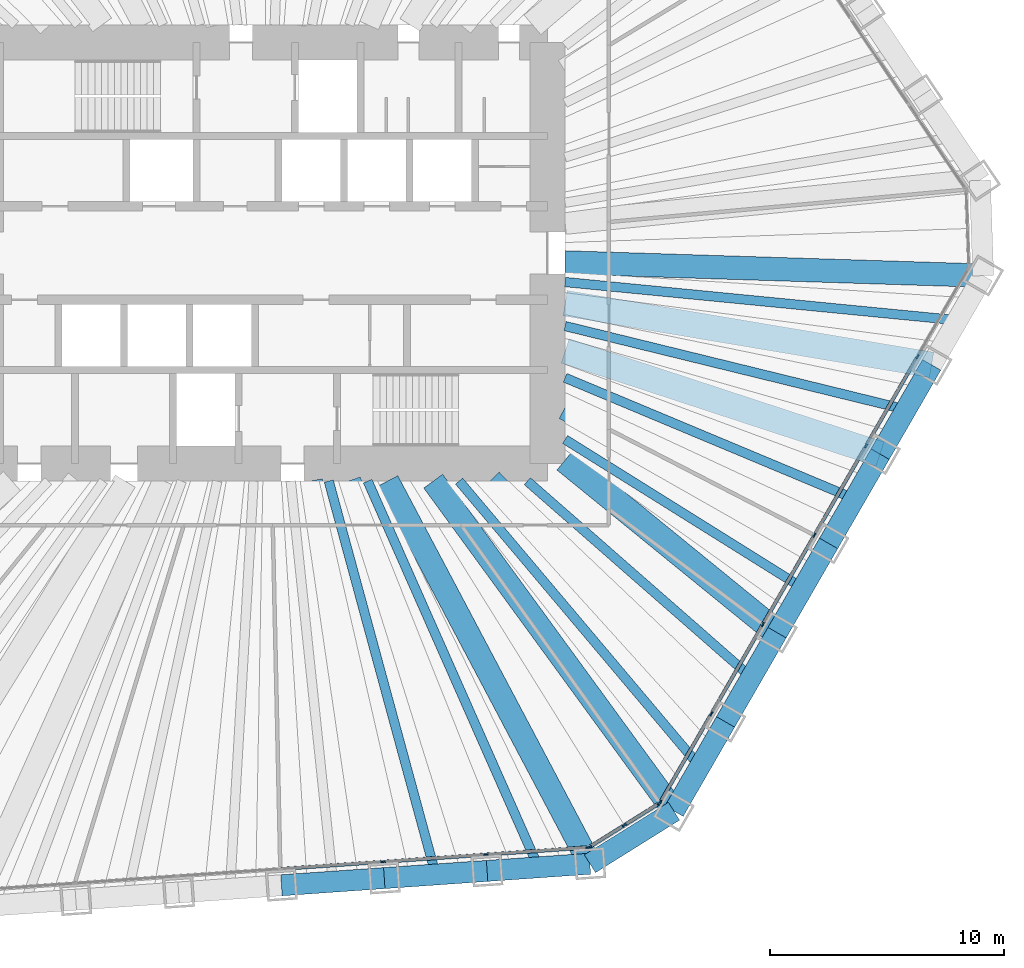
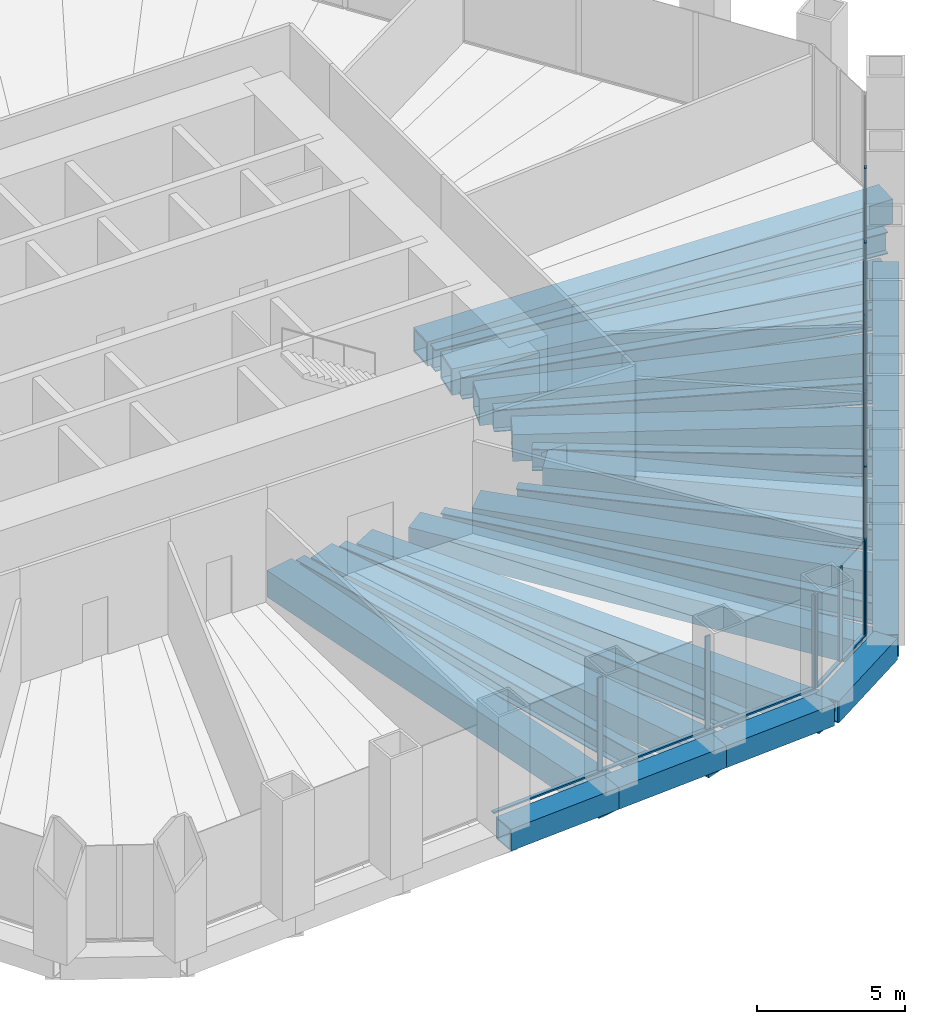
# One storey, part 4 of 13: 27 beams, 22 members, 3 elements without a shape of their own.
"""IFC4 building model written with IfcOpenShell, lengths in metres."""

from ifc_helpers import new_model, si_unit, direction, frame, origin, origin_2d, place, context, subcontext, project, spatial, rectangle, hollow_rectangle, i_section, extrude, material, material_profile, profile_set, type_object, element, aggregate, save


model = new_model("IFC4")

# Units and contexts
model_context = context("Model", 3, precision=1e-05, world=origin(), true_north=direction((0.0, 1.0)))
body_context = subcontext(model_context, "Body", "Model", "MODEL_VIEW")
ifc_project = project(units=[si_unit("LENGTHUNIT", "METRE"), si_unit("AREAUNIT", "SQUARE_METRE"), si_unit("VOLUMEUNIT", "CUBIC_METRE"), si_unit("PLANEANGLEUNIT", "RADIAN"), si_unit("MASSUNIT", "GRAM", prefix="KILO")], contexts=[model_context])

# Site, building, storey
site_placement = place(None, origin())
site = spatial("IfcSite", under=ifc_project, at=site_placement, CompositionType="ELEMENT")
building_placement = place(site_placement, origin())
building = spatial("IfcBuilding", under=site, at=building_placement, Name="Qingtian Harvest Tower", CompositionType="ELEMENT")
storey_placement = place(building_placement, frame((0.0, 0.0, 92.0)))
storey = spatial("IfcBuildingStorey", under=building, at=storey_placement, Name="L18", CompositionType="ELEMENT", Elevation=92.0)

# Beams
ifc_material_1 = material(Name="Steel SN490B", Category="steel")
ifc_material_profile_1 = material_profile(ifc_material_1, i_section(OverallWidth=0.39990234375, OverallDepth=0.89990234375, WebThickness=0.01904296875, FlangeThickness=0.035888671875, at=origin_2d()), Name="H900x400x19x36")
ifc_profile_set_1 = profile_set([ifc_material_profile_1], Name="Steel SN490B")
beam_type_1 = type_object("IfcBeamType", Name="Floor joist J4 H900x400x19x36", PredefinedType="JOIST", material=ifc_profile_set_1)
beam_1_placement = place(storey_placement, frame((29.517333984375, -2.87451171875, -0.64990234375), z_axis=(-0.995291970786, 0.096922097011, 0.0), x_axis=(-0.096922097011, -0.995291970786, 0.0)))
element("IfcBeam", 1, at=beam_1_placement, inside=storey, type_object=beam_type_1, Name="Floor joist J4 SE0", PredefinedType="JOIST", context=body_context, shape_type="SweptSolid", body=[
    extrude(i_section(OverallWidth=0.39990234375, OverallDepth=0.89990234375, WebThickness=0.01904296875, FlangeThickness=0.035888671875, at=origin_2d()), origin(), (0.0, 0.0, 1.0), 16.8466796875),
])
beam_2_placement = place(storey_placement, frame((27.31494140625, -6.68896484375, -0.64990234375), z_axis=(-0.971301533706, 0.237851488583, 0.0), x_axis=(-0.237851488583, -0.971301533706, 0.0)))
element("IfcBeam", 2, at=beam_2_placement, inside=storey, type_object=beam_type_1, Name="Floor joist J4 SE1", PredefinedType="JOIST", context=body_context, shape_type="SweptSolid", body=[
    extrude(i_section(OverallWidth=0.39990234375, OverallDepth=0.89990234375, WebThickness=0.01904296875, FlangeThickness=0.035888671875, at=origin_2d()), origin(), (0.0, 0.0, 1.0), 14.995361328125),
])
beam_3_placement = place(storey_placement, frame((25.112548828125, -10.503662109375, -0.64990234375), z_axis=(-0.922550516103, 0.385876334125, 0.0), x_axis=(-0.385876334125, -0.922550516103, 0.0)))
element("IfcBeam", 3, at=beam_3_placement, inside=storey, type_object=beam_type_1, Name="Floor joist J4 SE2", PredefinedType="JOIST", context=body_context, shape_type="SweptSolid", body=[
    extrude(i_section(OverallWidth=0.39990234375, OverallDepth=0.89990234375, WebThickness=0.01904296875, FlangeThickness=0.035888671875, at=origin_2d()), origin(), (0.0, 0.0, 1.0), 13.400390625),
])
beam_4_placement = place(storey_placement, frame((22.910400390625, -14.318115234375, -0.64990234375), z_axis=(-0.848013185461, 0.52997512893, 0.0), x_axis=(-0.52997512893, -0.848013185461, 0.0)))
element("IfcBeam", 4, at=beam_4_placement, inside=storey, type_object=beam_type_1, Name="Floor joist J4 SE3", PredefinedType="JOIST", context=body_context, shape_type="SweptSolid", body=[
    extrude(i_section(OverallWidth=0.39990234375, OverallDepth=0.89990234375, WebThickness=0.01904296875, FlangeThickness=0.035888671875, at=origin_2d()), origin(), (0.0, 0.0, 1.0), 11.9814453125),
])
beam_5_placement = place(storey_placement, frame((20.7080078125, -18.132568359375, -0.64990234375), z_axis=(-0.75234369212, 0.658770801514, 0.0), x_axis=(-0.658770801514, -0.75234369212, 0.0)))
element("IfcBeam", 5, at=beam_5_placement, inside=storey, type_object=beam_type_1, Name="Floor joist J4 SE4", PredefinedType="JOIST", context=body_context, shape_type="SweptSolid", body=[
    extrude(i_section(OverallWidth=0.39990234375, OverallDepth=0.89990234375, WebThickness=0.01904296875, FlangeThickness=0.035888671875, at=origin_2d()), origin(), (0.0, 0.0, 1.0), 12.724609375),
])
beam_6_placement = place(storey_placement, frame((18.505859375, -21.947021484375, -0.64990234375), z_axis=(-0.644630398038, 0.76449437534, 0.0), x_axis=(-0.76449437534, -0.644630398038, 0.0)))
element("IfcBeam", 6, at=beam_6_placement, inside=storey, type_object=beam_type_1, Name="Floor joist J4 SE5", PredefinedType="JOIST", context=body_context, shape_type="SweptSolid", body=[
    extrude(i_section(OverallWidth=0.39990234375, OverallDepth=0.89990234375, WebThickness=0.01904296875, FlangeThickness=0.035888671875, at=origin_2d()), origin(), (0.0, 0.0, 1.0), 15.954345703125),
])
beam_7_placement = place(storey_placement, frame((11.613525390625, -26.25390625, -0.64990234375), z_axis=(-0.404539958959, 0.914520323233, 0.0), x_axis=(-0.914520323233, -0.404539958959, 0.0)))
element("IfcBeam", 7, at=beam_7_placement, inside=storey, type_object=beam_type_1, Name="Floor joist J4 S0", PredefinedType="JOIST", context=body_context, shape_type="SweptSolid", body=[
    extrude(i_section(OverallWidth=0.39990234375, OverallDepth=0.89990234375, WebThickness=0.01904296875, FlangeThickness=0.035888671875, at=origin_2d()), origin(), (0.0, 0.0, 1.0), 18.046630859375),
])
beam_8_placement = place(storey_placement, frame((7.2197265625, -26.56103515625, -0.64990234375), z_axis=(-0.262302659247, 0.964985655309, 0.0), x_axis=(-0.964985655309, -0.262302659247, 0.0)))
element("IfcBeam", 8, at=beam_8_placement, inside=storey, type_object=beam_type_1, Name="Floor joist J4 S1", PredefinedType="JOIST", context=body_context, shape_type="SweptSolid", body=[
    extrude(i_section(OverallWidth=0.39990234375, OverallDepth=0.89990234375, WebThickness=0.01904296875, FlangeThickness=0.035888671875, at=origin_2d()), origin(), (0.0, 0.0, 1.0), 17.421142578125),
])

# Curtain wall, members
ifc_material_2 = material(Name="Bronze-anodised aluminium curtain wall", Category="aluminium")
curtain_wall_type = type_object("IfcCurtainWallType", Name="Curtain wall CW2 farm reception", PredefinedType="USERDEFINED", material=ifc_material_2)
curtain_wall_1_placement = place(storey_placement, origin())
curtain_wall_1 = element("IfcCurtainWall", 9, at=curtain_wall_1_placement, inside=storey, type_object=curtain_wall_type, Name="Curtain wall CW2 L18 SE0-5", ObjectType="RECESSED CURTAIN WALL", PredefinedType="USERDEFINED")
ifc_material_3 = material(Name="Bronze-anodised aluminium mullion", Category="aluminium")
ifc_material_profile_2 = material_profile(ifc_material_3, rectangle(XDim=0.06494140625, YDim=0.199951171875, at=origin_2d()), Name="AL 65x200")
ifc_profile_set_2 = profile_set([ifc_material_profile_2], Name="Bronze-anodised aluminium mullion")
member_type_1 = type_object("IfcMemberType", Name="Mullion CWM 65x200", PredefinedType="MULLION", material=ifc_profile_set_2)
member_1_placement = place(storey_placement, frame((27.809814453125, -4.431884765625, 0.0), z_axis=(0.0, 0.0, 1.0), x_axis=(0.866025403784, -0.5, 0.0)))
member_1 = element("IfcMember", 10, at=member_1_placement, type_object=member_type_1, Name="CW2 mullion 2", PredefinedType="MULLION", context=body_context, shape_type="SweptSolid", body=[
    extrude(rectangle(XDim=0.06494140625, YDim=0.199951171875, at=origin_2d()), origin(), (0.0, 0.0, 1.0), 3.89990234375),
])
member_2_placement = place(storey_placement, frame((25.607666015625, -8.246337890625, 0.0), z_axis=(0.0, 0.0, 1.0), x_axis=(0.866025403784, -0.5, 0.0)))
member_2 = element("IfcMember", 11, at=member_2_placement, type_object=member_type_1, Name="CW2 mullion 3", PredefinedType="MULLION", context=body_context, shape_type="SweptSolid", body=[
    extrude(rectangle(XDim=0.06494140625, YDim=0.199951171875, at=origin_2d()), origin(), (0.0, 0.0, 1.0), 3.89990234375),
])
member_3_placement = place(storey_placement, frame((23.4052734375, -12.060791015625, 0.0), z_axis=(0.0, 0.0, 1.0), x_axis=(0.866025403784, -0.5, 0.0)))
member_3 = element("IfcMember", 12, at=member_3_placement, type_object=member_type_1, Name="CW2 mullion 4", PredefinedType="MULLION", context=body_context, shape_type="SweptSolid", body=[
    extrude(rectangle(XDim=0.06494140625, YDim=0.199951171875, at=origin_2d()), origin(), (0.0, 0.0, 1.0), 3.89990234375),
])
member_4_placement = place(storey_placement, frame((21.202880859375, -15.875244140625, 0.0), z_axis=(0.0, 0.0, 1.0), x_axis=(0.866025403784, -0.5, 0.0)))
member_4 = element("IfcMember", 13, at=member_4_placement, type_object=member_type_1, Name="CW2 mullion 5", PredefinedType="MULLION", context=body_context, shape_type="SweptSolid", body=[
    extrude(rectangle(XDim=0.06494140625, YDim=0.199951171875, at=origin_2d()), origin(), (0.0, 0.0, 1.0), 3.89990234375),
])
member_5_placement = place(storey_placement, frame((19.000732421875, -19.68994140625, 0.0), z_axis=(0.0, 0.0, 1.0), x_axis=(0.866025403784, -0.5, 0.0)))
member_5 = element("IfcMember", 14, at=member_5_placement, type_object=member_type_1, Name="CW2 mullion 6", PredefinedType="MULLION", context=body_context, shape_type="SweptSolid", body=[
    extrude(rectangle(XDim=0.06494140625, YDim=0.199951171875, at=origin_2d()), origin(), (0.0, 0.0, 1.0), 3.89990234375),
])
member_6_placement = place(storey_placement, frame((16.814697265625, -23.47607421875, 0.0), z_axis=(0.0, 0.0, 1.0), x_axis=(0.866025403784, -0.5, 0.0)))
member_6 = element("IfcMember", 15, at=member_6_placement, type_object=member_type_1, Name="CW2 mullion 7", PredefinedType="MULLION", context=body_context, shape_type="SweptSolid", body=[
    extrude(rectangle(XDim=0.06494140625, YDim=0.199951171875, at=origin_2d()), origin(), (0.0, 0.0, 1.0), 3.89990234375),
])

curtain_wall_2_placement = place(storey_placement, origin())
curtain_wall_2 = element("IfcCurtainWall", 16, at=curtain_wall_2_placement, inside=storey, type_object=curtain_wall_type, Name="Curtain wall CW2 L18 SEC", ObjectType="RECESSED CURTAIN WALL", PredefinedType="USERDEFINED")
member_7_placement = place(storey_placement, frame((16.770751953125, -23.521484375, 0.0), z_axis=(0.0, 0.0, 1.0), x_axis=(0.529919264233, -0.848048096156, 0.0)))
member_7 = element("IfcMember", 17, at=member_7_placement, type_object=member_type_1, Name="CW2 mullion 1", PredefinedType="MULLION", context=body_context, shape_type="SweptSolid", body=[
    extrude(rectangle(XDim=0.06494140625, YDim=0.199951171875, at=origin_2d()), origin(), (0.0, 0.0, 1.0), 3.89990234375),
])
member_8_placement = place(storey_placement, frame((15.280029296875, -24.453125, 0.0), z_axis=(0.0, 0.0, 1.0), x_axis=(0.529919264233, -0.848048096156, 0.0)))
member_8 = element("IfcMember", 18, at=member_8_placement, type_object=member_type_1, Name="CW2 mullion 2", PredefinedType="MULLION", context=body_context, shape_type="SweptSolid", body=[
    extrude(rectangle(XDim=0.06494140625, YDim=0.199951171875, at=origin_2d()), origin(), (0.0, 0.0, 1.0), 3.89990234375),
])
member_9_placement = place(storey_placement, frame((13.789306640625, -25.384765625, 0.0), z_axis=(0.0, 0.0, 1.0), x_axis=(0.529919264233, -0.848048096156, 0.0)))
member_9 = element("IfcMember", 19, at=member_9_placement, type_object=member_type_1, Name="CW2 mullion 3", PredefinedType="MULLION", context=body_context, shape_type="SweptSolid", body=[
    extrude(rectangle(XDim=0.06494140625, YDim=0.199951171875, at=origin_2d()), origin(), (0.0, 0.0, 1.0), 3.89990234375),
])

curtain_wall_3_placement = place(storey_placement, origin())
curtain_wall_3 = element("IfcCurtainWall", 20, at=curtain_wall_3_placement, inside=storey, type_object=curtain_wall_type, Name="Curtain wall CW2 L18 S0-5", ObjectType="RECESSED CURTAIN WALL", PredefinedType="USERDEFINED")
member_10_placement = place(storey_placement, frame((13.729248046875, -25.404296875, 0.0), z_axis=(0.0, 0.0, 1.0), x_axis=(0.069756473744, -0.99756405026, 0.0)))
member_10 = element("IfcMember", 21, at=member_10_placement, type_object=member_type_1, Name="CW2 mullion 1", PredefinedType="MULLION", context=body_context, shape_type="SweptSolid", body=[
    extrude(rectangle(XDim=0.06494140625, YDim=0.199951171875, at=origin_2d()), origin(), (0.0, 0.0, 1.0), 3.89990234375),
])
member_11_placement = place(storey_placement, frame((9.36767578125, -25.709228515625, 0.0), z_axis=(0.0, 0.0, 1.0), x_axis=(0.069756473744, -0.99756405026, 0.0)))
member_11 = element("IfcMember", 22, at=member_11_placement, type_object=member_type_1, Name="CW2 mullion 2", PredefinedType="MULLION", context=body_context, shape_type="SweptSolid", body=[
    extrude(rectangle(XDim=0.06494140625, YDim=0.199951171875, at=origin_2d()), origin(), (0.0, 0.0, 1.0), 3.89990234375),
])
member_12_placement = place(storey_placement, frame((4.973876953125, -26.016357421875, 0.0), z_axis=(0.0, 0.0, 1.0), x_axis=(0.069756473744, -0.99756405026, 0.0)))
member_12 = element("IfcMember", 23, at=member_12_placement, type_object=member_type_1, Name="CW2 mullion 3", PredefinedType="MULLION", context=body_context, shape_type="SweptSolid", body=[
    extrude(rectangle(XDim=0.06494140625, YDim=0.199951171875, at=origin_2d()), origin(), (0.0, 0.0, 1.0), 3.89990234375),
])

# Beams
ifc_material_4 = material(Name="Steel SM570MC", Category="steel")
ifc_material_profile_3 = material_profile(ifc_material_4, hollow_rectangle(XDim=1.0, YDim=1.0, WallThickness=0.080078125, at=origin_2d()), Name="BOX1000x1000x80")
ifc_profile_set_3 = profile_set([ifc_material_profile_3], Name="Steel SM570MC")
beam_type_2 = type_object("IfcBeamType", Name="Transfer corner beam FB11 BOX1000x1000x80", PredefinedType="BEAM", material=ifc_profile_set_3)
beam_9_placement = place(storey_placement, frame((30.618408203125, -0.96728515625, -0.699951171875), z_axis=(-0.999501426546, 0.031573696842, 0.0), x_axis=(-0.031573696842, -0.999501426546, 0.0)))
element("IfcBeam", 24, at=beam_9_placement, inside=storey, type_object=beam_type_2, Name="Floor beam FB11 SE0", PredefinedType="BEAM", context=body_context, shape_type="SweptSolid", body=[
    extrude(hollow_rectangle(XDim=1.0, YDim=1.0, WallThickness=0.080078125, at=origin_2d()), origin(), (0.0, 0.0, 1.0), 17.87744140625),
])
beam_10_placement = place(storey_placement, frame((17.404541015625, -23.854248046875, -0.699951171875), z_axis=(-0.58941234871, 0.807832336062, 0.0), x_axis=(-0.807832336062, -0.58941234871, 0.0)))
element("IfcBeam", 25, at=beam_10_placement, inside=storey, type_object=beam_type_2, Name="Floor beam FB11 SE6", PredefinedType="BEAM", context=body_context, shape_type="SweptSolid", body=[
    extrude(hollow_rectangle(XDim=1.0, YDim=1.0, WallThickness=0.080078125, at=origin_2d()), origin(), (0.0, 0.0, 1.0), 17.45947265625),
])
beam_11_placement = place(storey_placement, frame((13.810546875, -26.10009765625, -0.699951171875), z_axis=(-0.467705182679, 0.883884529843, 0.0), x_axis=(-0.883884529843, -0.467705182679, 0.0)))
element("IfcBeam", 26, at=beam_11_placement, inside=storey, type_object=beam_type_2, Name="Floor beam FB11 S0", PredefinedType="BEAM", context=body_context, shape_type="SweptSolid", body=[
    extrude(hollow_rectangle(XDim=1.0, YDim=1.0, WallThickness=0.080078125, at=origin_2d()), origin(), (0.0, 0.0, 1.0), 18.498046875),
])
ifc_material_5 = material(Name="Steel SM570MC", Category="steel")
ifc_material_profile_4 = material_profile(ifc_material_5, hollow_rectangle(XDim=1.10009765625, YDim=1.10009765625, WallThickness=0.10009765625, at=origin_2d()), Name="BOX1100x1100x100")
ifc_profile_set_4 = profile_set([ifc_material_profile_4], Name="Steel SM570MC")
beam_type_3 = type_object("IfcBeamType", Name="Transfer floor beam FB9 BOX1100x1100x100", PredefinedType="BEAM", material=ifc_profile_set_4)
beam_12_placement = place(storey_placement, frame((28.416015625, -4.78173828125, -0.75), z_axis=(-0.986135195489, 0.16594389479, 0.0), x_axis=(-0.16594389479, -0.986135195489, 0.0)))
element("IfcBeam", 27, at=beam_12_placement, inside=storey, type_object=beam_type_3, Name="Floor beam FB9 SE1", PredefinedType="BEAM", context=body_context, shape_type="SweptSolid", body=[
    extrude(hollow_rectangle(XDim=1.10009765625, YDim=1.10009765625, WallThickness=0.10009765625, at=origin_2d()), origin(), (0.0, 0.0, 1.0), 15.88623046875),
])
beam_13_placement = place(storey_placement, frame((26.2138671875, -8.596435546875, -0.75), z_axis=(-0.950210724421, 0.311608053803, 0.0), x_axis=(-0.311608053803, -0.950210724421, 0.0)))
element("IfcBeam", 28, at=beam_13_placement, inside=storey, type_object=beam_type_3, Name="Floor beam FB9 SE2", PredefinedType="BEAM", context=body_context, shape_type="SweptSolid", body=[
    extrude(hollow_rectangle(XDim=1.10009765625, YDim=1.10009765625, WallThickness=0.10009765625, at=origin_2d()), origin(), (0.0, 0.0, 1.0), 14.16943359375),
])
beam_14_placement = place(storey_placement, frame((24.011474609375, -12.410888671875, -0.75), z_axis=(-0.888349581519, 0.45916774823, 0.0), x_axis=(-0.45916774823, -0.888349581519, 0.0)))
element("IfcBeam", 29, at=beam_14_placement, inside=storey, type_object=beam_type_3, Name="Floor beam FB9 SE3", PredefinedType="BEAM", context=body_context, shape_type="SweptSolid", body=[
    extrude(hollow_rectangle(XDim=1.10009765625, YDim=1.10009765625, WallThickness=0.10009765625, at=origin_2d()), origin(), (0.0, 0.0, 1.0), 12.6767578125),
])
beam_15_placement = place(storey_placement, frame((21.809326171875, -16.225341796875, -0.75), z_axis=(-0.775504415669, 0.631342142802, 0.0), x_axis=(-0.631342142802, -0.775504415669, 0.0)))
element("IfcBeam", 30, at=beam_15_placement, inside=storey, type_object=beam_type_3, Name="Floor beam FB9 SE4", PredefinedType="BEAM", context=body_context, shape_type="SweptSolid", body=[
    extrude(hollow_rectangle(XDim=1.10009765625, YDim=1.10009765625, WallThickness=0.10009765625, at=origin_2d()), origin(), (0.0, 0.0, 1.0), 11.681884765625),
])
beam_16_placement = place(storey_placement, frame((19.60693359375, -20.039794921875, -0.75), z_axis=(-0.699348221539, 0.714781130858, 0.0), x_axis=(-0.714781130858, -0.699348221539, 0.0)))
element("IfcBeam", 31, at=beam_16_placement, inside=storey, type_object=beam_type_3, Name="Floor beam FB9 SE5", PredefinedType="BEAM", context=body_context, shape_type="SweptSolid", body=[
    extrude(hollow_rectangle(XDim=1.10009765625, YDim=1.10009765625, WallThickness=0.10009765625, at=origin_2d()), origin(), (0.0, 0.0, 1.0), 14.395751953125),
])
beam_17_placement = place(storey_placement, frame((9.41650390625, -26.407470703125, -0.75), z_axis=(-0.33586498155, 0.941910141239, 0.0), x_axis=(-0.941910141239, -0.33586498155, 0.0)))
element("IfcBeam", 32, at=beam_17_placement, inside=storey, type_object=beam_type_3, Name="Floor beam FB9 S1", PredefinedType="BEAM", context=body_context, shape_type="SweptSolid", body=[
    extrude(hollow_rectangle(XDim=1.10009765625, YDim=1.10009765625, WallThickness=0.10009765625, at=origin_2d()), origin(), (0.0, 0.0, 1.0), 17.684814453125),
])
beam_18_placement = place(storey_placement, frame((5.022705078125, -26.714599609375, -0.75), z_axis=(-0.184782942099, 0.98277935688, 0.0), x_axis=(-0.98277935688, -0.184782942099, 0.0)))
element("IfcBeam", 33, at=beam_18_placement, inside=storey, type_object=beam_type_3, Name="Floor beam FB9 S2", PredefinedType="BEAM", context=body_context, shape_type="SweptSolid", body=[
    extrude(hollow_rectangle(XDim=1.10009765625, YDim=1.10009765625, WallThickness=0.10009765625, at=origin_2d()), origin(), (0.0, 0.0, 1.0), 17.261962890625),
])
ifc_material_6 = material(Name="Steel SM570MC", Category="steel")
ifc_material_profile_5 = material_profile(ifc_material_6, hollow_rectangle(XDim=0.89990234375, YDim=0.89990234375, WallThickness=0.050048828125, at=origin_2d()), Name="BOX900x900x50")
ifc_profile_set_5 = profile_set([ifc_material_profile_5], Name="Steel SM570MC")
beam_type_4 = type_object("IfcBeamType", Name="Transition spandrel SB6 BOX900x900x50", PredefinedType="SPANDREL", material=ifc_profile_set_5)
beam_19_placement = place(storey_placement, frame((28.416015625, -4.78173828125, -0.449951171875), z_axis=(-0.499954356739, -0.86605175433, 0.0), x_axis=(0.86605175433, -0.499954356739, 0.0)))
element("IfcBeam", 34, at=beam_19_placement, inside=storey, type_object=beam_type_4, Name="Spandrel SB6 SE1", PredefinedType="SPANDREL", context=body_context, shape_type="SweptSolid", body=[
    extrude(hollow_rectangle(XDim=0.89990234375, YDim=0.89990234375, WallThickness=0.050048828125, at=origin_2d()), origin(), (0.0, 0.0, 1.0), 4.40478515625),
])
for number, where, z_axis, x_axis, name in (
    (35, (26.2138671875, -8.596435546875, -0.449951171875), (-0.50001992892, -0.866013897511, 0.0), (0.866013897511, -0.50001992892, 0.0), "Spandrel SB6 SE2"),
    (36, (24.011474609375, -12.410888671875, -0.449951171875), (-0.499978356969, -0.866037899034, 0.0), (0.866037899034, -0.499978356969, 0.0), "Spandrel SB6 SE3"),
    (37, (21.809326171875, -16.225341796875, -0.449951171875), (-0.50001992892, -0.866013897511, 0.0), (0.866013897511, -0.50001992892, 0.0), "Spandrel SB6 SE4"),
    (38, (19.60693359375, -20.039794921875, -0.449951171875), (-0.50001992892, -0.866013897511, 0.0), (0.866013897511, -0.50001992892, 0.0), "Spandrel SB6 SE5"),
):
    element("IfcBeam", number, at=place(storey_placement, frame(where, z_axis=z_axis, x_axis=x_axis)), inside=storey, type_object=beam_type_4, Name=name, PredefinedType="SPANDREL", context=body_context, shape_type="SweptSolid", body=[
        extrude(hollow_rectangle(XDim=0.89990234375, YDim=0.89990234375, WallThickness=0.050048828125, at=origin_2d()), origin(), (0.0, 0.0, 1.0), 4.404541015625),
    ])
beam_20_placement = place(storey_placement, frame((17.404541015625, -23.854248046875, -0.449951171875), z_axis=(-0.848040374245, -0.529931621675, 0.0), x_axis=(0.529931621675, -0.848040374245, 0.0)))
element("IfcBeam", 39, at=beam_20_placement, inside=storey, type_object=beam_type_4, Name="Spandrel SB6 SEC", PredefinedType="SPANDREL", context=body_context, shape_type="SweptSolid", body=[
    extrude(hollow_rectangle(XDim=0.89990234375, YDim=0.89990234375, WallThickness=0.050048828125, at=origin_2d()), origin(), (0.0, 0.0, 1.0), 4.238037109375),
])
beam_21_placement = place(storey_placement, frame((13.810546875, -26.10009765625, -0.449951171875), z_axis=(-0.997562286406, -0.069781693443, 0.0), x_axis=(0.069781693443, -0.997562286406, 0.0)))
element("IfcBeam", 40, at=beam_21_placement, inside=storey, type_object=beam_type_4, Name="Spandrel SB6 S0", PredefinedType="SPANDREL", context=body_context, shape_type="SweptSolid", body=[
    extrude(hollow_rectangle(XDim=0.89990234375, YDim=0.89990234375, WallThickness=0.050048828125, at=origin_2d()), origin(), (0.0, 0.0, 1.0), 4.40478515625),
])
for number, where, z_axis, x_axis, name in (
    (41, (9.41650390625, -26.407470703125, -0.449951171875), (-0.997565873714, -0.069730392239, 0.0), (0.069730392239, -0.997565873714, 0.0), "Spandrel SB6 S1"),
    (42, (5.022705078125, -26.714599609375, -0.449951171875), (-0.997562016486, -0.069785551967, 0.0), (0.069785551967, -0.997562016486, 0.0), "Spandrel SB6 S2"),
):
    element("IfcBeam", number, at=place(storey_placement, frame(where, z_axis=z_axis, x_axis=x_axis)), inside=storey, type_object=beam_type_4, Name=name, PredefinedType="SPANDREL", context=body_context, shape_type="SweptSolid", body=[
        extrude(hollow_rectangle(XDim=0.89990234375, YDim=0.89990234375, WallThickness=0.050048828125, at=origin_2d()), origin(), (0.0, 0.0, 1.0), 4.404541015625),
    ])

# Member
ifc_material_7 = material(Name="Bronze-anodised aluminium transom", Category="aluminium")
ifc_material_profile_6 = material_profile(ifc_material_7, rectangle(XDim=0.14990234375, YDim=0.06494140625, at=origin_2d()), Name="AL 65x150")
ifc_profile_set_6 = profile_set([ifc_material_profile_6], Name="Bronze-anodised aluminium transom")
member_type_2 = type_object("IfcMemberType", Name="Transom CWT 65x150", PredefinedType="USERDEFINED", material=ifc_profile_set_6)
member_13_placement = place(storey_placement, frame((27.793701171875, -4.4599609375, 0.032470703125), z_axis=(-0.500011390128, -0.866018827591, 0.0), x_axis=(0.866018827591, -0.500011390128, 0.0)))
member_13 = element("IfcMember", 43, at=member_13_placement, type_object=member_type_2, Name="CW2 transom 2.1", ObjectType="TRANSOM", PredefinedType="USERDEFINED", context=body_context, shape_type="SweptSolid", body=[
    extrude(rectangle(XDim=0.14990234375, YDim=0.06494140625, at=origin_2d()), origin(), (0.0, 0.0, 1.0), 4.33984375),
])

member_14_placement = place(storey_placement, frame((25.59130859375, -8.2744140625, 0.032470703125), z_axis=(-0.499969196308, -0.866043187574, 0.0), x_axis=(0.866043187574, -0.499969196308, 0.0)))
member_14 = element("IfcMember", 44, at=member_14_placement, type_object=member_type_2, Name="CW2 transom 3.1", ObjectType="TRANSOM", PredefinedType="USERDEFINED", context=body_context, shape_type="SweptSolid", body=[
    extrude(rectangle(XDim=0.14990234375, YDim=0.06494140625, at=origin_2d()), origin(), (0.0, 0.0, 1.0), 4.339599609375),
])

member_15_placement = place(storey_placement, frame((23.38916015625, -12.0888671875, 0.032470703125), z_axis=(-0.500011390128, -0.866018827591, 0.0), x_axis=(0.866018827591, -0.500011390128, 0.0)))
member_15 = element("IfcMember", 45, at=member_15_placement, type_object=member_type_2, Name="CW2 transom 4.1", ObjectType="TRANSOM", PredefinedType="USERDEFINED", context=body_context, shape_type="SweptSolid", body=[
    extrude(rectangle(XDim=0.14990234375, YDim=0.06494140625, at=origin_2d()), origin(), (0.0, 0.0, 1.0), 4.33984375),
])

member_16_placement = place(storey_placement, frame((21.186767578125, -15.903564453125, 0.032470703125), z_axis=(-0.500035751442, -0.866004761696, 0.0), x_axis=(0.866004761696, -0.500035751442, 0.0)))
member_16 = element("IfcMember", 46, at=member_16_placement, type_object=member_type_2, Name="CW2 transom 5.1", ObjectType="TRANSOM", PredefinedType="USERDEFINED", context=body_context, shape_type="SweptSolid", body=[
    extrude(rectangle(XDim=0.14990234375, YDim=0.06494140625, at=origin_2d()), origin(), (0.0, 0.0, 1.0), 4.339599609375),
])

member_17_placement = place(storey_placement, frame((18.984375, -19.718017578125, 0.032470703125), z_axis=(-0.500010313095, -0.866019449435, 0.0), x_axis=(0.866019449435, -0.500010313095, 0.0)))
member_17 = element("IfcMember", 47, at=member_17_placement, type_object=member_type_2, Name="CW2 transom 6.1", ObjectType="TRANSOM", PredefinedType="USERDEFINED", context=body_context, shape_type="SweptSolid", body=[
    extrude(rectangle(XDim=0.14990234375, YDim=0.06494140625, at=origin_2d()), origin(), (0.0, 0.0, 1.0), 4.30712890625),
])

aggregate(curtain_wall_1, [member_1, member_2, member_3, member_4, member_5, member_6, member_13, member_14, member_15, member_16, member_17])

member_18_placement = place(storey_placement, frame((16.7431640625, -23.538818359375, 0.032470703125), z_axis=(-0.848063119425, -0.529895221219, 0.0), x_axis=(0.529895221219, -0.848063119425, 0.0)))
member_18 = element("IfcMember", 48, at=member_18_placement, type_object=member_type_2, Name="CW2 transom 1.1", ObjectType="TRANSOM", PredefinedType="USERDEFINED", context=body_context, shape_type="SweptSolid", body=[
    extrude(rectangle(XDim=0.14990234375, YDim=0.06494140625, at=origin_2d()), origin(), (0.0, 0.0, 1.0), 1.692626953125),
])

member_19_placement = place(storey_placement, frame((15.25244140625, -24.470458984375, 0.032470703125), z_axis=(-0.848103609743, -0.529830413568, 0.0), x_axis=(0.529830413568, -0.848103609743, 0.0)))
member_19 = element("IfcMember", 49, at=member_19_placement, type_object=member_type_2, Name="CW2 transom 2.1", ObjectType="TRANSOM", PredefinedType="USERDEFINED", context=body_context, shape_type="SweptSolid", body=[
    extrude(rectangle(XDim=0.14990234375, YDim=0.06494140625, at=origin_2d()), origin(), (0.0, 0.0, 1.0), 1.69287109375),
])

aggregate(curtain_wall_2, [member_7, member_8, member_9, member_18, member_19])

member_20_placement = place(storey_placement, frame((13.69677734375, -25.406494140625, 0.032470703125), z_axis=(-0.997566581753, -0.069720262262, 0.0), x_axis=(0.069720262262, -0.997566581753, 0.0)))
member_20 = element("IfcMember", 50, at=member_20_placement, type_object=member_type_2, Name="CW2 transom 1.1", ObjectType="TRANSOM", PredefinedType="USERDEFINED", context=body_context, shape_type="SweptSolid", body=[
    extrude(rectangle(XDim=0.14990234375, YDim=0.06494140625, at=origin_2d()), origin(), (0.0, 0.0, 1.0), 4.30712890625),
])

member_21_placement = place(storey_placement, frame((9.33544921875, -25.71142578125, 0.032470703125), z_axis=(-0.997563824095, -0.069759707979, 0.0), x_axis=(0.069759707979, -0.997563824095, 0.0)))
member_21 = element("IfcMember", 51, at=member_21_placement, type_object=member_type_2, Name="CW2 transom 2.1", ObjectType="TRANSOM", PredefinedType="USERDEFINED", context=body_context, shape_type="SweptSolid", body=[
    extrude(rectangle(XDim=0.14990234375, YDim=0.06494140625, at=origin_2d()), origin(), (0.0, 0.0, 1.0), 4.339599609375),
])

member_22_placement = place(storey_placement, frame((4.94140625, -26.018798828125, 0.032470703125), z_axis=(-0.997567737508, -0.069703723594, 0.0), x_axis=(0.069703723594, -0.997567737508, 0.0)))
member_22 = element("IfcMember", 52, at=member_22_placement, type_object=member_type_2, Name="CW2 transom 3.1", ObjectType="TRANSOM", PredefinedType="USERDEFINED", context=body_context, shape_type="SweptSolid", body=[
    extrude(rectangle(XDim=0.14990234375, YDim=0.06494140625, at=origin_2d()), origin(), (0.0, 0.0, 1.0), 4.339599609375),
])

aggregate(curtain_wall_3, [member_10, member_11, member_12, member_20, member_21, member_22])

save(model, "model.ifc")
